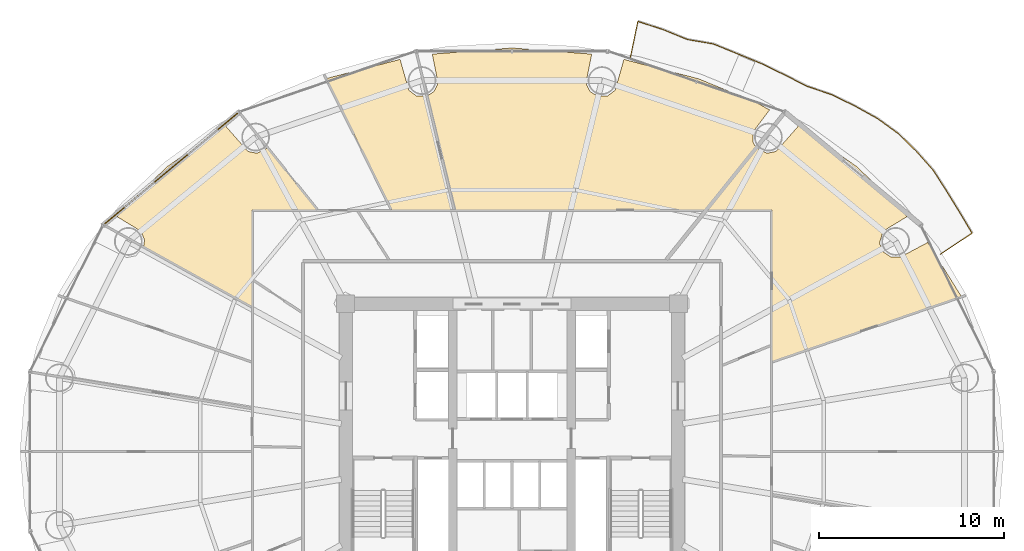
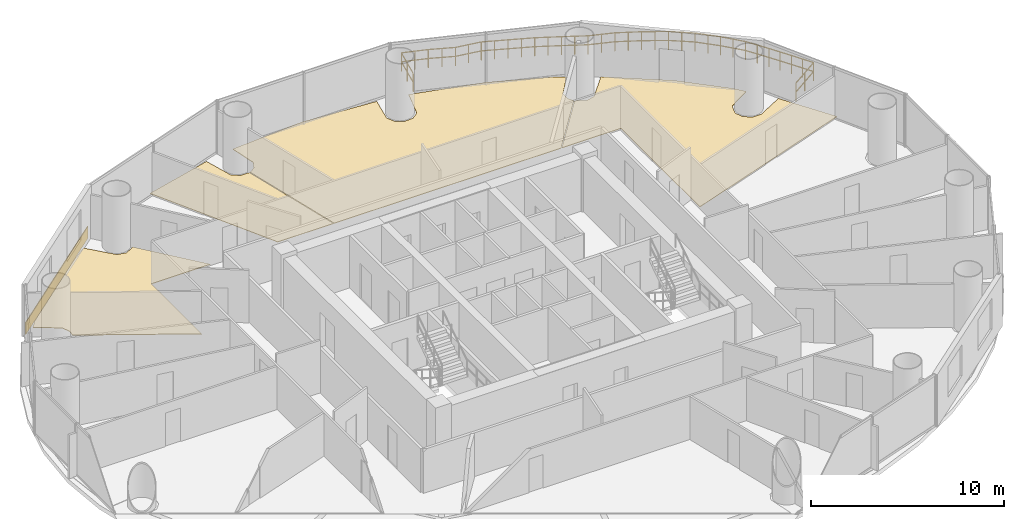
# One storey, part 29 of 29: 5 coverings, 1 railing.
"""IFC4 building model written with IfcOpenShell, lengths in metres."""

from ifc_helpers import new_model, si_unit, direction, frame, origin, origin_2d, place, context, subcontext, project, spatial, polyline, rectangle, outline, extrude, source, transform, mapped, material, layer, layer_set, type_object, element, save


model = new_model("IFC4")

# Units and contexts
model_context = context("Model", 3, precision=1e-05, world=origin(), true_north=direction((-0.2419218956, 0.970295726276)))
body_context = subcontext(model_context, "Body", "Model", "MODEL_VIEW")
ifc_project = project(units=[si_unit("LENGTHUNIT", "METRE"), si_unit("AREAUNIT", "SQUARE_METRE"), si_unit("VOLUMEUNIT", "CUBIC_METRE"), si_unit("PLANEANGLEUNIT", "RADIAN"), si_unit("MASSUNIT", "GRAM", prefix="KILO")], contexts=[model_context])

# Site, building, storey
site_placement = place(None, origin())
site = spatial("IfcSite", under=ifc_project, at=site_placement, CompositionType="ELEMENT")
building_placement = place(site_placement, origin())
building = spatial("IfcBuilding", under=site, at=building_placement, Name="Cobrevalo Terracotta Tower", CompositionType="ELEMENT")
storey_placement = place(building_placement, frame((0.0, 0.0, 115.800048828125)))
storey = spatial("IfcBuildingStorey", under=building, at=storey_placement, Name="L30", CompositionType="ELEMENT", Elevation=115.800048828125)

# Railing
ifc_material_1 = material(Name="Laminated structural glass and stainless steel", Category="steel")
railing_type = type_object("IfcRailingType", Name="Balcony lobe structural glass & terracotta-cap balustrade 1180 mm", PredefinedType="BALUSTRADE", material=ifc_material_1)
railing_placement = place(storey_placement, frame((61.160400390625, 37.46533203125, 0.0)))
element("IfcRailing", 1, at=railing_placement, inside=storey, type_object=railing_type, Name="L30 spiralling balcony lobe balustrade 1", PredefinedType="BALUSTRADE", context=body_context, shape_type="SweptSolid", body=[
    extrude(rectangle(XDim=0.048095703125, YDim=0.048095703125, at=origin_2d()), frame((0.0, 0.0, 1.15576171875), z_axis=(0.832141453703, 0.554563432827, 0.0), x_axis=(-0.554563432827, 0.832141453703, 0.0)), (0.0, 0.0, 1.0), 2.059814453125),
    extrude(rectangle(XDim=0.048095703125, YDim=0.048095703125, at=origin_2d()), frame((0.0, 0.0, 0.58984375), z_axis=(0.832141453703, 0.554563432827, 0.0), x_axis=(-0.554563432827, 0.832141453703, 0.0)), (0.0, 0.0, 1.0), 2.059814453125),
    extrude(rectangle(XDim=0.048095703125, YDim=0.048095703125, at=origin_2d()), frame((1.714111328125, 1.142333984375, 1.15576171875), z_axis=(-0.512251835255, 0.858835291123, 0.0), x_axis=(-0.858835291123, -0.512251835255, 0.0)), (0.0, 0.0, 1.0), 1.31298828125),
    extrude(rectangle(XDim=0.048095703125, YDim=0.048095703125, at=origin_2d()), frame((1.714111328125, 1.142333984375, 0.58984375), z_axis=(-0.512251835255, 0.858835291123, 0.0), x_axis=(-0.858835291123, -0.512251835255, 0.0)), (0.0, 0.0, 1.0), 1.31298828125),
    extrude(rectangle(XDim=0.048095703125, YDim=0.048095703125, at=origin_2d()), frame((1.04150390625, 2.27001953125, 1.15576171875), z_axis=(-0.523842542882, 0.851815115073, 0.0), x_axis=(-0.851815115073, -0.523842542882, 0.0)), (0.0, 0.0, 1.0), 1.336181640625),
    extrude(rectangle(XDim=0.048095703125, YDim=0.048095703125, at=origin_2d()), frame((1.04150390625, 2.27001953125, 0.58984375), z_axis=(-0.523842542882, 0.851815115073, 0.0), x_axis=(-0.851815115073, -0.523842542882, 0.0)), (0.0, 0.0, 1.0), 1.336181640625),
    extrude(rectangle(XDim=0.048095703125, YDim=0.048095703125, at=origin_2d()), frame((0.341552734375, 3.408203125, 1.15576171875), z_axis=(-0.538207508454, 0.84281236218, 0.0), x_axis=(-0.84281236218, -0.538207508454, 0.0)), (0.0, 0.0, 1.0), 1.351318359375),
    extrude(rectangle(XDim=0.048095703125, YDim=0.048095703125, at=origin_2d()), frame((0.341552734375, 3.408203125, 0.58984375), z_axis=(-0.538207508454, 0.84281236218, 0.0), x_axis=(-0.84281236218, -0.538207508454, 0.0)), (0.0, 0.0, 1.0), 1.351318359375),
    extrude(rectangle(XDim=0.048095703125, YDim=0.048095703125, at=origin_2d()), frame((-0.3857421875, 4.547119140625, 1.15576171875), z_axis=(-0.663865639912, 0.747851865107, 0.0), x_axis=(-0.747851865107, -0.663865639912, 0.0)), (0.0, 0.0, 1.0), 1.369140625),
    extrude(rectangle(XDim=0.048095703125, YDim=0.048095703125, at=origin_2d()), frame((-0.3857421875, 4.547119140625, 0.58984375), z_axis=(-0.663865639912, 0.747851865107, 0.0), x_axis=(-0.747851865107, -0.663865639912, 0.0)), (0.0, 0.0, 1.0), 1.369140625),
    extrude(rectangle(XDim=0.048095703125, YDim=0.048095703125, at=origin_2d()), frame((-1.294677734375, 5.571044921875, 1.15576171875), z_axis=(-0.715788468745, 0.698317168636, 0.0), x_axis=(-0.698317168636, -0.715788468745, 0.0)), (0.0, 0.0, 1.0), 1.369384765625),
    extrude(rectangle(XDim=0.048095703125, YDim=0.048095703125, at=origin_2d()), frame((-1.294677734375, 5.571044921875, 0.58984375), z_axis=(-0.715788468745, 0.698317168636, 0.0), x_axis=(-0.698317168636, -0.715788468745, 0.0)), (0.0, 0.0, 1.0), 1.369384765625),
    extrude(rectangle(XDim=0.048095703125, YDim=0.048095703125, at=origin_2d()), frame((-2.27490234375, 6.52734375, 1.15576171875), z_axis=(-0.809461369893, 0.587173135157, 0.0), x_axis=(-0.587173135157, -0.809461369893, 0.0)), (0.0, 0.0, 1.0), 1.381591796875),
    extrude(rectangle(XDim=0.048095703125, YDim=0.048095703125, at=origin_2d()), frame((-2.27490234375, 6.52734375, 0.58984375), z_axis=(-0.809461369893, 0.587173135157, 0.0), x_axis=(-0.587173135157, -0.809461369893, 0.0)), (0.0, 0.0, 1.0), 1.381591796875),
    extrude(rectangle(XDim=0.048095703125, YDim=0.048095703125, at=origin_2d()), frame((-3.393310546875, 7.338623046875, 1.15576171875), z_axis=(-0.875126811732, 0.48389364884, 0.0), x_axis=(-0.48389364884, -0.875126811732, 0.0)), (0.0, 0.0, 1.0), 1.399169921875),
    extrude(rectangle(XDim=0.048095703125, YDim=0.048095703125, at=origin_2d()), frame((-3.393310546875, 7.338623046875, 0.58984375), z_axis=(-0.875126811732, 0.48389364884, 0.0), x_axis=(-0.48389364884, -0.875126811732, 0.0)), (0.0, 0.0, 1.0), 1.399169921875),
    extrude(rectangle(XDim=0.048095703125, YDim=0.048095703125, at=origin_2d()), frame((-4.61767578125, 8.015625, 1.15576171875), z_axis=(-0.898164927291, 0.439658689649, 0.0), x_axis=(-0.439658689649, -0.898164927291, 0.0)), (0.0, 0.0, 1.0), 1.385986328125),
    extrude(rectangle(XDim=0.048095703125, YDim=0.048095703125, at=origin_2d()), frame((-4.61767578125, 8.015625, 0.58984375), z_axis=(-0.898164927291, 0.439658689649, 0.0), x_axis=(-0.439658689649, -0.898164927291, 0.0)), (0.0, 0.0, 1.0), 1.385986328125),
    extrude(rectangle(XDim=0.048095703125, YDim=0.048095703125, at=origin_2d()), frame((-5.862548828125, 8.625, 1.15576171875), z_axis=(-0.945967042914, 0.324262784976, 0.0), x_axis=(-0.324262784976, -0.945967042914, 0.0)), (0.0, 0.0, 1.0), 1.419921875),
    extrude(rectangle(XDim=0.048095703125, YDim=0.048095703125, at=origin_2d()), frame((-5.862548828125, 8.625, 0.58984375), z_axis=(-0.945967042914, 0.324262784976, 0.0), x_axis=(-0.324262784976, -0.945967042914, 0.0)), (0.0, 0.0, 1.0), 1.419921875),
    extrude(rectangle(XDim=0.048095703125, YDim=0.048095703125, at=origin_2d()), frame((-7.205810546875, 9.08544921875, 1.15576171875), z_axis=(-0.892508786745, 0.451030005192, 0.0), x_axis=(-0.451030005192, -0.892508786745, 0.0)), (0.0, 0.0, 1.0), 1.38037109375),
    extrude(rectangle(XDim=0.048095703125, YDim=0.048095703125, at=origin_2d()), frame((-7.205810546875, 9.08544921875, 0.58984375), z_axis=(-0.892508786745, 0.451030005192, 0.0), x_axis=(-0.451030005192, -0.892508786745, 0.0)), (0.0, 0.0, 1.0), 1.38037109375),
    extrude(rectangle(XDim=0.048095703125, YDim=0.048095703125, at=origin_2d()), frame((-8.437744140625, 9.7080078125, 1.15576171875), z_axis=(-0.899201376812, 0.437535008815, 0.0), x_axis=(-0.437535008815, -0.899201376812, 0.0)), (0.0, 0.0, 1.0), 1.385986328125),
    extrude(rectangle(XDim=0.048095703125, YDim=0.048095703125, at=origin_2d()), frame((-8.437744140625, 9.7080078125, 0.58984375), z_axis=(-0.899201376812, 0.437535008815, 0.0), x_axis=(-0.437535008815, -0.899201376812, 0.0)), (0.0, 0.0, 1.0), 1.385986328125),
    extrude(rectangle(XDim=0.048095703125, YDim=0.048095703125, at=origin_2d()), frame((-9.68408203125, 10.314453125, 1.15576171875), z_axis=(-0.925207849091, 0.379460717308, 0.0), x_axis=(-0.379460717308, -0.925207849091, 0.0)), (0.0, 0.0, 1.0), 1.400634765625),
    extrude(rectangle(XDim=0.048095703125, YDim=0.048095703125, at=origin_2d()), frame((-9.68408203125, 10.314453125, 0.58984375), z_axis=(-0.925207849091, 0.379460717308, 0.0), x_axis=(-0.379460717308, -0.925207849091, 0.0)), (0.0, 0.0, 1.0), 1.400634765625),
    extrude(rectangle(XDim=0.048095703125, YDim=0.048095703125, at=origin_2d()), frame((-10.97998046875, 10.845947265625, 1.15576171875), z_axis=(-0.926148788732, 0.377158350205, 0.0), x_axis=(-0.377158350205, -0.926148788732, 0.0)), (0.0, 0.0, 1.0), 1.3994140625),
    extrude(rectangle(XDim=0.048095703125, YDim=0.048095703125, at=origin_2d()), frame((-10.97998046875, 10.845947265625, 0.58984375), z_axis=(-0.926148788732, 0.377158350205, 0.0), x_axis=(-0.377158350205, -0.926148788732, 0.0)), (0.0, 0.0, 1.0), 1.3994140625),
    extrude(rectangle(XDim=0.048095703125, YDim=0.048095703125, at=origin_2d()), frame((-12.276123046875, 11.373779296875, 1.15576171875), z_axis=(-0.985591284016, 0.169144378775, 0.0), x_axis=(-0.169144378775, -0.985591284016, 0.0)), (0.0, 0.0, 1.0), 1.426025390625),
    extrude(rectangle(XDim=0.048095703125, YDim=0.048095703125, at=origin_2d()), frame((-12.276123046875, 11.373779296875, 0.58984375), z_axis=(-0.985591284016, 0.169144378775, 0.0), x_axis=(-0.169144378775, -0.985591284016, 0.0)), (0.0, 0.0, 1.0), 1.426025390625),
    extrude(rectangle(XDim=0.048095703125, YDim=0.048095703125, at=origin_2d()), frame((-13.681640625, 11.614990234375, 1.15576171875), z_axis=(-0.925743522265, 0.378151994553, 0.0), x_axis=(-0.378151994553, -0.925743522265, 0.0)), (0.0, 0.0, 1.0), 1.423583984375),
    extrude(rectangle(XDim=0.048095703125, YDim=0.048095703125, at=origin_2d()), frame((-13.681640625, 11.614990234375, 0.58984375), z_axis=(-0.925743522265, 0.378151994553, 0.0), x_axis=(-0.378151994553, -0.925743522265, 0.0)), (0.0, 0.0, 1.0), 1.423583984375),
    extrude(rectangle(XDim=0.048095703125, YDim=0.048095703125, at=origin_2d()), frame((-14.99951171875, 12.1533203125, 1.15576171875), z_axis=(-0.951934153373, 0.306302738547, 0.0), x_axis=(-0.306302738547, -0.951934153373, 0.0)), (0.0, 0.0, 1.0), 1.4267578125),
    extrude(rectangle(XDim=0.048095703125, YDim=0.048095703125, at=origin_2d()), frame((-14.99951171875, 12.1533203125, 0.58984375), z_axis=(-0.951934153373, 0.306302738547, 0.0), x_axis=(-0.306302738547, -0.951934153373, 0.0)), (0.0, 0.0, 1.0), 1.4267578125),
    extrude(rectangle(XDim=0.048095703125, YDim=0.048095703125, at=origin_2d()), frame((-16.357666015625, 12.59033203125, 1.15576171875), z_axis=(-0.20307906668, -0.97916234235, 0.0), x_axis=(0.97916234235, -0.20307906668, 0.0)), (0.0, 0.0, 1.0), 1.960693359375),
    extrude(rectangle(XDim=0.048095703125, YDim=0.048095703125, at=origin_2d()), frame((-16.357666015625, 12.59033203125, 0.58984375), z_axis=(-0.20307906668, -0.97916234235, 0.0), x_axis=(0.97916234235, -0.20307906668, 0.0)), (0.0, 0.0, 1.0), 1.960693359375),
    extrude(rectangle(XDim=0.0419921875, YDim=0.0419921875, at=origin_2d()), origin(), (0.0, 0.0, 1.0), 1.1318359375),
    extrude(rectangle(XDim=0.0419921875, YDim=0.0419921875, at=origin_2d()), frame((0.85693359375, 0.5712890625, 0.0)), (0.0, 0.0, 1.0), 1.1318359375),
    extrude(rectangle(XDim=0.0419921875, YDim=0.0419921875, at=origin_2d()), frame((1.714111328125, 1.142333984375, 0.0)), (0.0, 0.0, 1.0), 1.1318359375),
    extrude(rectangle(XDim=0.0419921875, YDim=0.0419921875, at=origin_2d()), frame((1.3779296875, 1.7060546875, 0.0)), (0.0, 0.0, 1.0), 1.1318359375),
    extrude(rectangle(XDim=0.0419921875, YDim=0.0419921875, at=origin_2d()), frame((1.04150390625, 2.27001953125, 0.0)), (0.0, 0.0, 1.0), 1.1318359375),
    extrude(rectangle(XDim=0.0419921875, YDim=0.0419921875, at=origin_2d()), frame((0.69140625, 2.839111328125, 0.0)), (0.0, 0.0, 1.0), 1.1318359375),
    extrude(rectangle(XDim=0.0419921875, YDim=0.0419921875, at=origin_2d()), frame((0.341552734375, 3.408203125, 0.0)), (0.0, 0.0, 1.0), 1.1318359375),
    extrude(rectangle(XDim=0.0419921875, YDim=0.0419921875, at=origin_2d()), frame((-0.02197265625, 3.9775390625, 0.0)), (0.0, 0.0, 1.0), 1.1318359375),
    extrude(rectangle(XDim=0.0419921875, YDim=0.0419921875, at=origin_2d()), frame((-0.3857421875, 4.547119140625, 0.0)), (0.0, 0.0, 1.0), 1.1318359375),
    extrude(rectangle(XDim=0.0419921875, YDim=0.0419921875, at=origin_2d()), frame((-0.84033203125, 5.05908203125, 0.0)), (0.0, 0.0, 1.0), 1.1318359375),
    extrude(rectangle(XDim=0.0419921875, YDim=0.0419921875, at=origin_2d()), frame((-1.294677734375, 5.571044921875, 0.0)), (0.0, 0.0, 1.0), 1.1318359375),
    extrude(rectangle(XDim=0.0419921875, YDim=0.0419921875, at=origin_2d()), frame((-1.78466796875, 6.04931640625, 0.0)), (0.0, 0.0, 1.0), 1.1318359375),
    extrude(rectangle(XDim=0.0419921875, YDim=0.0419921875, at=origin_2d()), frame((-2.27490234375, 6.52734375, 0.0)), (0.0, 0.0, 1.0), 1.1318359375),
    extrude(rectangle(XDim=0.0419921875, YDim=0.0419921875, at=origin_2d()), frame((-2.833984375, 6.93310546875, 0.0)), (0.0, 0.0, 1.0), 1.1318359375),
    extrude(rectangle(XDim=0.0419921875, YDim=0.0419921875, at=origin_2d()), frame((-3.393310546875, 7.338623046875, 0.0)), (0.0, 0.0, 1.0), 1.1318359375),
    extrude(rectangle(XDim=0.0419921875, YDim=0.0419921875, at=origin_2d()), frame((-4.00537109375, 7.67724609375, 0.0)), (0.0, 0.0, 1.0), 1.1318359375),
    extrude(rectangle(XDim=0.0419921875, YDim=0.0419921875, at=origin_2d()), frame((-4.61767578125, 8.015625, 0.0)), (0.0, 0.0, 1.0), 1.1318359375),
    extrude(rectangle(XDim=0.0419921875, YDim=0.0419921875, at=origin_2d()), frame((-5.240234375, 8.3203125, 0.0)), (0.0, 0.0, 1.0), 1.1318359375),
    extrude(rectangle(XDim=0.0419921875, YDim=0.0419921875, at=origin_2d()), frame((-5.862548828125, 8.625, 0.0)), (0.0, 0.0, 1.0), 1.1318359375),
    extrude(rectangle(XDim=0.0419921875, YDim=0.0419921875, at=origin_2d()), frame((-6.5341796875, 8.855224609375, 0.0)), (0.0, 0.0, 1.0), 1.1318359375),
    extrude(rectangle(XDim=0.0419921875, YDim=0.0419921875, at=origin_2d()), frame((-7.205810546875, 9.08544921875, 0.0)), (0.0, 0.0, 1.0), 1.1318359375),
    extrude(rectangle(XDim=0.0419921875, YDim=0.0419921875, at=origin_2d()), frame((-7.82177734375, 9.396728515625, 0.0)), (0.0, 0.0, 1.0), 1.1318359375),
    extrude(rectangle(XDim=0.0419921875, YDim=0.0419921875, at=origin_2d()), frame((-8.437744140625, 9.7080078125, 0.0)), (0.0, 0.0, 1.0), 1.1318359375),
    extrude(rectangle(XDim=0.0419921875, YDim=0.0419921875, at=origin_2d()), frame((-9.06103515625, 10.01123046875, 0.0)), (0.0, 0.0, 1.0), 1.1318359375),
    extrude(rectangle(XDim=0.0419921875, YDim=0.0419921875, at=origin_2d()), frame((-9.68408203125, 10.314453125, 0.0)), (0.0, 0.0, 1.0), 1.1318359375),
    extrude(rectangle(XDim=0.0419921875, YDim=0.0419921875, at=origin_2d()), frame((-10.33203125, 10.580078125, 0.0)), (0.0, 0.0, 1.0), 1.1318359375),
    extrude(rectangle(XDim=0.0419921875, YDim=0.0419921875, at=origin_2d()), frame((-10.97998046875, 10.845947265625, 0.0)), (0.0, 0.0, 1.0), 1.1318359375),
    extrude(rectangle(XDim=0.0419921875, YDim=0.0419921875, at=origin_2d()), frame((-11.6279296875, 11.10986328125, 0.0)), (0.0, 0.0, 1.0), 1.1318359375),
    extrude(rectangle(XDim=0.0419921875, YDim=0.0419921875, at=origin_2d()), frame((-12.276123046875, 11.373779296875, 0.0)), (0.0, 0.0, 1.0), 1.1318359375),
    extrude(rectangle(XDim=0.0419921875, YDim=0.0419921875, at=origin_2d()), frame((-12.97900390625, 11.494384765625, 0.0)), (0.0, 0.0, 1.0), 1.1318359375),
    extrude(rectangle(XDim=0.0419921875, YDim=0.0419921875, at=origin_2d()), frame((-13.681640625, 11.614990234375, 0.0)), (0.0, 0.0, 1.0), 1.1318359375),
    extrude(rectangle(XDim=0.0419921875, YDim=0.0419921875, at=origin_2d()), frame((-14.340576171875, 11.88427734375, 0.0)), (0.0, 0.0, 1.0), 1.1318359375),
    extrude(rectangle(XDim=0.0419921875, YDim=0.0419921875, at=origin_2d()), frame((-14.99951171875, 12.1533203125, 0.0)), (0.0, 0.0, 1.0), 1.1318359375),
    extrude(rectangle(XDim=0.0419921875, YDim=0.0419921875, at=origin_2d()), frame((-15.6787109375, 12.371826171875, 0.0)), (0.0, 0.0, 1.0), 1.1318359375),
    extrude(rectangle(XDim=0.0419921875, YDim=0.0419921875, at=origin_2d()), frame((-16.357666015625, 12.59033203125, 0.0)), (0.0, 0.0, 1.0), 1.1318359375),
    extrude(rectangle(XDim=0.0419921875, YDim=0.0419921875, at=origin_2d()), frame((-16.556640625, 11.63037109375, 0.0)), (0.0, 0.0, 1.0), 1.1318359375),
    extrude(rectangle(XDim=0.0419921875, YDim=0.0419921875, at=origin_2d()), frame((-16.755859375, 10.67041015625, 0.0)), (0.0, 0.0, 1.0), 1.1318359375),
])

# Coverings
ifc_material_2 = material(Name="Engineered Brazilian hardwood flooring", Category="wood")
ifc_layer_1 = layer(ifc_material_2, 0.028076171875)
ifc_layer_set_1 = layer_set([ifc_layer_1], Name="Engineered Brazilian hardwood flooring")
covering_type_1 = type_object("IfcCoveringType", Name="Engineered Hardwood Suite Flooring 28", PredefinedType="FLOORING", material=ifc_layer_set_1)
covering_1_placement = place(storey_placement, origin())
element("IfcCovering", 2, at=covering_1_placement, inside=storey, type_object=covering_type_1, Name="Flat L30A Penthouse Living and Dining Room floor finish", PredefinedType="FLOORING", context=body_context, shape_type="SweptSolid", body=[
    extrude(outline(polyline([(38.0, 48.619873046875), (42.3095703125, 48.2890625), (41.997802734375, 46.721435546875), (42.2197265625, 46.26123046875), (42.659912109375, 46.001708984375), (43.170166015625, 46.030517578125), (43.578125, 46.337890625), (44.05078125, 48.001953125), (48.073486328125, 46.95849609375), (51.161376953125, 45.696044921875), (51.92431640625, 45.273193359375), (51.0185546875, 44.05615234375), (51.02001953125, 43.54541015625), (51.193359375, 43.23681640625), (48.4736328125, 39.85498046875), (34.89501953125, 39.85498046875), (33.4169921875, 46.028564453125), (33.7802734375, 46.26123046875), (34.002197265625, 46.721435546875), (33.6904296875, 48.2890625), (38.0, 48.619873046875)])), origin(), (0.0, 0.0, 1.0), 0.030029296875),
])
covering_2_placement = place(storey_placement, origin())
element("IfcCovering", 3, at=covering_2_placement, inside=storey, type_object=covering_type_1, Name="Flat L30A Master Bedroom floor finish", PredefinedType="FLOORING", context=body_context, shape_type="SweptSolid", body=[
    extrude(outline(polyline([(31.94921875, 48.001953125), (32.421875, 46.337890625), (32.829833984375, 46.030517578125), (33.37890625, 46.015380859375), (34.853759765625, 39.85498046875), (31.513671875, 39.85498046875), (27.966552734375, 46.9697265625), (31.94921875, 48.001953125)])), origin(), (0.0, 0.0, 1.0), 0.030029296875),
])
covering_3_placement = place(storey_placement, origin())
element("IfcCovering", 4, at=covering_3_placement, inside=storey, type_object=covering_type_1, Name="Flat L30A Principal Guest Bedroom floor finish", PredefinedType="FLOORING", context=body_context, shape_type="SweptSolid", body=[
    extrude(outline(polyline([(19.3876953125, 42.227783203125), (22.511474609375, 44.40673828125), (23.72119140625, 43.02880859375), (24.221923828125, 42.927490234375), (24.780029296875, 43.2060546875), (27.47509765625, 39.85498046875), (23.945068359375, 39.85498046875), (23.945068359375, 34.62548828125), (18.083740234375, 37.879150390625), (18.131591796875, 38.23876953125), (17.94091796875, 38.712890625), (16.64697265625, 39.49755859375), (17.117919921875, 40.081787109375), (19.3876953125, 42.227783203125)])), origin(), (0.0, 0.0, 1.0), 0.030029296875),
])
covering_4_placement = place(storey_placement, origin())
element("IfcCovering", 5, at=covering_4_placement, inside=storey, type_object=covering_type_1, Name="Flat L30B Private Cinema Room floor finish", PredefinedType="FLOORING", context=body_context, shape_type="SweptSolid", body=[
    extrude(outline(polyline([(48.52490234375, 39.85498046875), (51.219970703125, 43.2060546875), (51.778076171875, 42.927490234375), (52.27880859375, 43.02880859375), (53.488525390625, 44.40673828125), (56.6123046875, 42.227783203125), (58.882080078125, 40.081787109375), (59.35302734375, 39.49755859375), (58.05908203125, 38.712890625), (57.8701171875, 38.066162109375), (58.070556640625, 37.59619140625), (58.498291015625, 37.316650390625), (59.00927734375, 37.32177734375), (60.474853515625, 38.10546875), (62.296875, 35.1826171875), (52.054931640625, 31.657958984375), (52.054931640625, 39.85498046875), (48.52490234375, 39.85498046875)])), origin(), (0.0, 0.0, 1.0), 0.030029296875),
])
ifc_material_3 = material(Name="Glazed terracotta facade cladding tile", Category="masonry")
ifc_layer_2 = layer(ifc_material_3, 0.044921875)
ifc_layer_set_2 = layer_set([ifc_layer_2], Name="Glazed terracotta facade cladding tile")
covering_type_2 = type_object("IfcCoveringType", Name="Architectural terracotta rainscreen spandrel cladding 45 mm", PredefinedType="CLADDING", material=ifc_layer_set_2)
shared_shape = source(origin(), body_context, "Body", "SweptSolid", [
    extrude(rectangle(XDim=9.32958984375, YDim=0.044921875, at=origin_2d()), origin(), (0.0, 0.0, 1.0), 0.760009765625),
])
covering_5_placement = place(storey_placement, frame((19.5732421875, 42.10595703125, 0.0400390625), z_axis=(0.0, 0.0, 1.0), x_axis=(-0.769241221277, -0.638958483384, 0.0)))
element("IfcCovering", 6, at=covering_5_placement, inside=storey, type_object=covering_type_2, Name="L30 terracotta spandrel cladding S06", PredefinedType="CLADDING", context=body_context, shape_type="MappedRepresentation", body=[
    mapped(shared_shape, transform((0.0, 0.0, 0.0), scale=1.0)),
])

save(model, "model.ifc")
